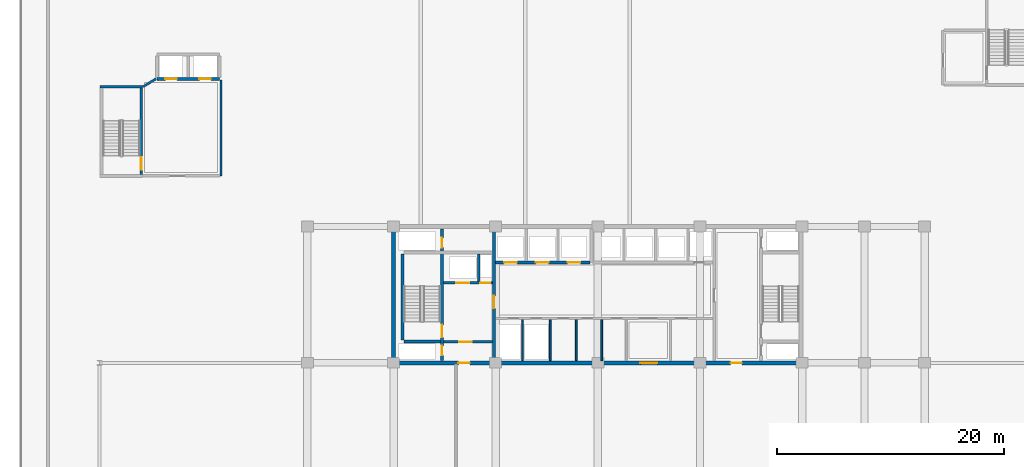
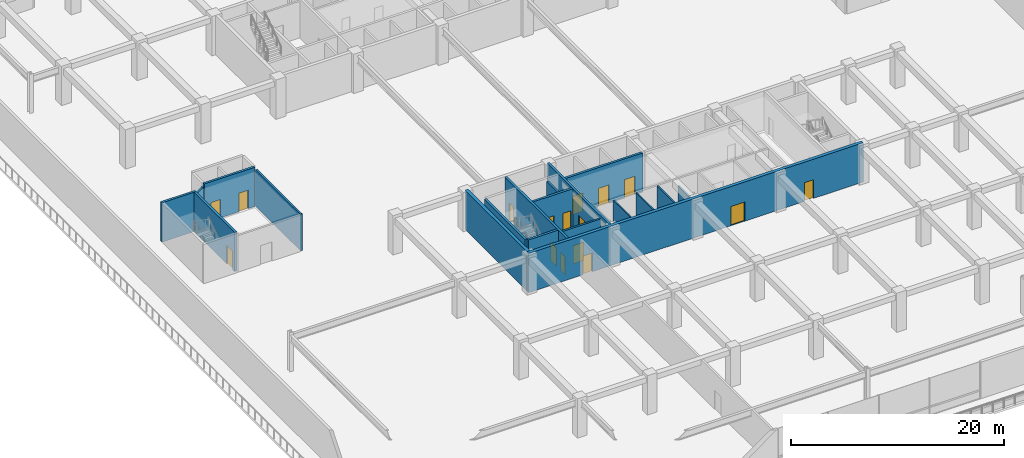
# One storey, part 21 of 40: 19 walls, 16 doors, 16 openings.
"""IFC4 building model written with IfcOpenShell, lengths in metres."""

from ifc_helpers import new_model, si_unit, direction, frame, frame_2d, origin, place, context, subcontext, project, spatial, rectangle, extrude, material, layer, layer_set, type_object, element, fill, save


model = new_model("IFC4")

# Units and contexts
model_context = context("Model", 3, precision=1e-05, world=origin(), true_north=direction((0.0, 1.0)))
body_context = subcontext(model_context, "Body", "Model", "MODEL_VIEW")
ifc_project = project(units=[si_unit("LENGTHUNIT", "METRE"), si_unit("AREAUNIT", "SQUARE_METRE"), si_unit("VOLUMEUNIT", "CUBIC_METRE"), si_unit("PLANEANGLEUNIT", "RADIAN"), si_unit("MASSUNIT", "GRAM", prefix="KILO")], contexts=[model_context])

# Site, building, storey
site_placement = place(None, origin())
site = spatial("IfcSite", under=ifc_project, at=site_placement, CompositionType="ELEMENT")
building_placement = place(site_placement, origin())
building = spatial("IfcBuilding", under=site, at=building_placement, Name="Korimba Cascade Residences", CompositionType="ELEMENT")
storey_placement = place(building_placement, frame((0.0, 0.0, 14.5)))
storey = spatial("IfcBuildingStorey", under=building, at=storey_placement, Name="L03", CompositionType="ELEMENT", Elevation=14.5)

# Wall
ifc_material_1 = material(Name="Concrete C65/80", Category="concrete")
ifc_layer_1 = layer(ifc_material_1, 0.35009765625)
ifc_layer_set_1 = layer_set([ifc_layer_1], Name="Concrete C65/80")
wall_type_1 = type_object("IfcWallType", Name="WAL-CORE-350", PredefinedType="SHEAR", material=ifc_layer_set_1)
wall_1_placement = place(storey_placement, frame((82.10009765625, 18.574951171875, 0.0), z_axis=(0.0, 0.0, 1.0), x_axis=(0.0, 1.0, 0.0)))
element("IfcWall", 1, at=wall_1_placement, inside=storey, type_object=wall_type_1, Name="L03 Core Shear Wall CW-L03-T2-W", PredefinedType="SHEAR", context=body_context, shape_type="SweptSolid", body=[
    extrude(rectangle(XDim=11.650146484375, YDim=0.35009765625, at=frame_2d((5.8251953125, 0.0))), origin(), (0.0, 0.0, 1.0), 4.5),
])

# Wall, openings, doors
wall_2_placement = place(storey_placement, frame((81.925048828125, 18.39990234375, 0.0), z_axis=(0.0, 0.0, 1.0), x_axis=(1.0, 0.0, 0.0)))
wall_2 = element("IfcWall", 2, at=wall_2_placement, inside=storey, type_object=wall_type_1, Name="L03 Core Shear Wall CW-L03-T2-S", PredefinedType="SHEAR", context=body_context, shape_type="SweptSolid", body=[
    extrude(rectangle(XDim=36.264892578125, YDim=0.35009765625, at=frame_2d((18.13232421875, 0.0))), origin(), (0.0, 0.0, 1.0), 4.5),
])
opening_1_placement = place(wall_2_placement, frame((5.89501953125, 0.0, 0.0)))
opening_1 = element("IfcOpeningElement", 3, at=opening_1_placement, cuts=wall_2, Name="Opening D-FD5", PredefinedType="OPENING", context=body_context, shape_type="SweptSolid", body=[
    extrude(rectangle(XDim=1.0, YDim=2.14990234375, at=frame_2d((0.5, 1.074951171875))), frame((0.0, 0.18505859375, 0.0), z_axis=(0.0, -1.0, 0.0), x_axis=(1.0, 0.0, 0.0)), (0.0, 0.0, 1.0), 0.3701171875),
])
opening_2_placement = place(wall_2_placement, frame((21.925048828125, 0.0, 0.0)))
opening_2 = element("IfcOpeningElement", 4, at=opening_2_placement, cuts=wall_2, Name="Opening D-FD8", PredefinedType="OPENING", context=body_context, shape_type="SweptSolid", body=[
    extrude(rectangle(XDim=1.5, YDim=2.199951171875, at=frame_2d((0.75, 1.10009765625))), frame((0.0, 0.18505859375, 0.0), z_axis=(0.0, -1.0, 0.0), x_axis=(1.0, 0.0, 0.0)), (0.0, 0.0, 1.0), 0.3701171875),
])
opening_3_placement = place(wall_2_placement, frame((29.875, 0.0, 0.0)))
opening_3 = element("IfcOpeningElement", 5, at=opening_3_placement, cuts=wall_2, Name="Opening D-FD5", PredefinedType="OPENING", context=body_context, shape_type="SweptSolid", body=[
    extrude(rectangle(XDim=1.0, YDim=2.14990234375, at=frame_2d((0.5, 1.074951171875))), frame((0.0, 0.18505859375, 0.0), z_axis=(0.0, -1.0, 0.0), x_axis=(1.0, 0.0, 0.0)), (0.0, 0.0, 1.0), 0.3701171875),
])
ifc_material_2 = material(Name="Fire-Rated Acoustic Timber Vestibule Door", Category="wood")
door_type_1 = type_object("IfcDoorType", Name="DR-FD90-1000", OperationType="NOTDEFINED", PredefinedType="DOOR", material=ifc_material_2)
door_1_placement = place(opening_1_placement, origin())
door_1 = element("IfcDoor", 6, at=door_1_placement, inside=storey, type_object=door_type_1, Name="L03 T2 West Core Vestibule Fire Door", OperationType="SINGLE_SWING_RIGHT", OverallHeight=2.14990234375, OverallWidth=1.0, PredefinedType="DOOR", context=body_context, shape_type="SweptSolid", body=[
    extrude(rectangle(XDim=1.0, YDim=2.14990234375, at=frame_2d((0.5, 1.074951171875))), frame((0.0, 0.02490234375, 0.0), z_axis=(0.0, -1.0, 0.0), x_axis=(1.0, 0.0, 0.0)), (0.0, 0.0, 1.0), 0.050048828125),
])
fill(opening_1, door_1)
door_2_placement = place(opening_3_placement, origin())
door_2 = element("IfcDoor", 7, at=door_2_placement, inside=storey, type_object=door_type_1, Name="L03 T2 East Stair Vestibule Fire Door", OperationType="SINGLE_SWING_LEFT", OverallHeight=2.14990234375, OverallWidth=1.0, PredefinedType="DOOR", context=body_context, shape_type="SweptSolid", body=[
    extrude(rectangle(XDim=1.0, YDim=2.14990234375, at=frame_2d((0.5, 1.074951171875))), frame((0.0, 0.02490234375, 0.0), z_axis=(0.0, -1.0, 0.0), x_axis=(1.0, 0.0, 0.0)), (0.0, 0.0, 1.0), 0.050048828125),
])
fill(opening_3, door_2)
ifc_material_3 = material(Name="Fire-Rated Glazed Lift Lobby Double Door", Category="glass")
door_type_2 = type_object("IfcDoorType", Name="DR-FD90-1500", OperationType="NOTDEFINED", PredefinedType="DOOR", material=ifc_material_3)
door_3_placement = place(opening_2_placement, origin())
door_3 = element("IfcDoor", 8, at=door_3_placement, inside=storey, type_object=door_type_2, Name="L03 T2 Lift Lobby Fire Door", OperationType="DOUBLE_DOOR_SINGLE_SWING", OverallHeight=2.199951171875, OverallWidth=1.5, PredefinedType="DOOR", context=body_context, shape_type="SweptSolid", body=[
    extrude(rectangle(XDim=1.5, YDim=2.199951171875, at=frame_2d((0.75, 1.10009765625))), frame((0.0, 0.02490234375, 0.0), z_axis=(0.0, -1.0, 0.0), x_axis=(1.0, 0.0, 0.0)), (0.0, 0.0, 1.0), 0.050048828125),
])
fill(opening_2, door_3)

# Walls
ifc_material_4 = material(Name="Insulated Acoustic Stud Partition", Category="gypsum")
ifc_layer_2 = layer(ifc_material_4, 0.14990234375)
ifc_layer_set_2 = layer_set([ifc_layer_2], Name="Insulated Acoustic Stud Partition")
wall_type_2 = type_object("IfcWallType", Name="WAL-PART-150", PredefinedType="PARTITIONING", material=ifc_layer_set_2)
for number, where, z_axis, x_axis, name in (
    (9, (93.449951171875, 18.60009765625, 0.0), (0.0, 0.0, 1.0), (0.0, 1.0, 0.0), "L03 Partition Wall CW-L03-T2-ERDIV"),
    (10, (95.89990234375, 18.60009765625, 0.0), (0.0, 0.0, 1.0), (0.0, 1.0, 0.0), "L03 Partition Wall CW-L03-T2-PRDIV"),
    (11, (98.199951171875, 18.60009765625, 0.0), (0.0, 0.0, 1.0), (0.0, 1.0, 0.0), "L03 Partition Wall CW-L03-T2-CA1W1"),
):
    element("IfcWall", number, at=place(storey_placement, frame(where, z_axis=z_axis, x_axis=x_axis)), inside=storey, type_object=wall_type_2, Name=name, PredefinedType="PARTITIONING", context=body_context, shape_type="SweptSolid", body=[
        extrude(rectangle(XDim=3.599853515625, YDim=0.14990234375, at=frame_2d((1.7998046875, 0.0))), origin(), (0.0, 0.0, 1.0), 4.179931640625),
    ])
wall_3_placement = place(storey_placement, frame((100.449951171875, 18.60009765625, 0.0), z_axis=(0.0, 0.0, 1.0), x_axis=(0.0, 1.0, 0.0)))
element("IfcWall", 12, at=wall_3_placement, inside=storey, type_object=wall_type_2, Name="L03 Partition Wall CW-L03-T2-CA1W2", PredefinedType="PARTITIONING", context=body_context, shape_type="SweptSolid", body=[
    extrude(rectangle(XDim=3.599853515625, YDim=0.14990234375, at=frame_2d((1.7998046875, 0.0))), origin(), (0.0, 0.0, 1.0), 3.429931640625),
])
ifc_material_5 = material(Name="Concrete C40/50", Category="concrete")
ifc_layer_3 = layer(ifc_material_5, 0.199951171875)
ifc_layer_set_3 = layer_set([ifc_layer_3], Name="Concrete C40/50")
wall_type_3 = type_object("IfcWallType", Name="WAL-PART-200", PredefinedType="PARTITIONING", material=ifc_layer_set_3)
wall_4_placement = place(storey_placement, frame((89.60009765625, 25.580078125, 0.0), z_axis=(0.0, 0.0, 1.0), x_axis=(0.0, 1.0, 0.0)))
element("IfcWall", 13, at=wall_4_placement, inside=storey, type_object=wall_type_3, Name="L03 Partition Wall CW-L03-T2-FFLDIV", PredefinedType="PARTITIONING", context=body_context, shape_type="SweptSolid", body=[
    extrude(rectangle(XDim=2.419921875, YDim=0.199951171875, at=frame_2d((1.2099609375, 0.0))), origin(), (0.0, 0.0, 1.0), 4.179931640625),
])

# Wall, opening, door
wall_5_placement = place(storey_placement, frame((86.5, 20.25, 0.0), z_axis=(0.0, 0.0, 1.0), x_axis=(1.0, 0.0, 0.0)))
wall_5 = element("IfcWall", 14, at=wall_5_placement, inside=storey, type_object=wall_type_3, Name="L03 Partition Wall CW-L03-T2-FFLS", PredefinedType="PARTITIONING", context=body_context, shape_type="SweptSolid", body=[
    extrude(rectangle(XDim=4.320068359375, YDim=0.199951171875, at=frame_2d((2.16015625, 0.0))), origin(), (0.0, 0.0, 1.0), 4.179931640625),
])
opening_4_placement = place(wall_5_placement, frame((1.39990234375, 0.0, 0.0)))
opening_4 = element("IfcOpeningElement", 15, at=opening_4_placement, cuts=wall_5, Name="Opening D-FD1", PredefinedType="OPENING", context=body_context, shape_type="SweptSolid", body=[
    extrude(rectangle(XDim=1.10009765625, YDim=2.10009765625, at=frame_2d((0.550048828125, 1.050048828125))), frame((0.0, 0.10986328125, 0.0), z_axis=(0.0, -1.0, 0.0), x_axis=(1.0, 0.0, 0.0)), (0.0, 0.0, 1.0), 0.219970703125),
])
ifc_material_6 = material(Name="Fire-Rated Steel Core Door", Category="steel")
door_type_3 = type_object("IfcDoorType", Name="DR-FD120-1100", OperationType="NOTDEFINED", PredefinedType="DOOR", material=ifc_material_6)
door_4_placement = place(opening_4_placement, origin())
door_4 = element("IfcDoor", 16, at=door_4_placement, inside=storey, type_object=door_type_3, Name="L03 T2 Firefighting Lobby Door", OperationType="SINGLE_SWING_RIGHT", OverallHeight=2.10009765625, OverallWidth=1.10009765625, PredefinedType="DOOR", context=body_context, shape_type="SweptSolid", body=[
    extrude(rectangle(XDim=1.10009765625, YDim=2.10009765625, at=frame_2d((0.550048828125, 1.050048828125))), frame((0.0, 0.02490234375, 0.0), z_axis=(0.0, -1.0, 0.0), x_axis=(1.0, 0.0, 0.0)), (0.0, 0.0, 1.0), 0.050048828125),
])
fill(opening_4, door_4)

# Walls
wall_6_placement = place(storey_placement, frame((66.89990234375, 34.875, 0.0), z_axis=(0.0, 0.0, 1.0), x_axis=(0.0, 1.0, 0.0)))
element("IfcWall", 17, at=wall_6_placement, inside=storey, type_object=wall_type_3, Name="L03 Partition Wall CW-L03-PLOBE", PredefinedType="PARTITIONING", context=body_context, shape_type="SweptSolid", body=[
    extrude(rectangle(XDim=8.425048828125, YDim=0.199951171875, at=frame_2d((4.21240234375, 0.0))), origin(), (0.0, 0.0, 1.0), 4.179931640625),
])
wall_7_placement = place(storey_placement, frame((60.02001953125, 42.72509765625, 0.0), z_axis=(0.0, 0.0, 1.0), x_axis=(0.851822584555, 0.523830396638, 0.0)))
element("IfcWall", 18, at=wall_7_placement, inside=storey, type_object=wall_type_3, Name="L03 Partition Wall CW-L03-PLOBN", PredefinedType="PARTITIONING", context=body_context, shape_type="SweptSolid", body=[
    extrude(rectangle(XDim=1.326416015625, YDim=0.199951171875, at=frame_2d((0.6630859375, 0.0))), origin(), (0.0, 0.0, 1.0), 4.179931640625),
])
ifc_material_7 = material(Name="Concrete C50/60", Category="concrete")
ifc_layer_4 = layer(ifc_material_7, 0.25)
ifc_layer_set_4 = layer_set([ifc_layer_4], Name="Concrete C50/60")
wall_type_4 = type_object("IfcWallType", Name="WAL-SHAFT-250", PredefinedType="SHEAR", material=ifc_layer_set_4)
wall_8_placement = place(storey_placement, frame((82.875, 20.39990234375, 0.0), z_axis=(0.0, 0.0, 1.0), x_axis=(0.0, 1.0, 0.0)))
element("IfcWall", 19, at=wall_8_placement, inside=storey, type_object=wall_type_4, Name="L03 Core Shear Wall CW-L03-T2-STE1W", PredefinedType="SHEAR", context=body_context, shape_type="SweptSolid", body=[
    extrude(rectangle(XDim=7.60009765625, YDim=0.25, at=frame_2d((3.800048828125, 0.0))), origin(), (0.0, 0.0, 1.0), 4.5),
])

# Wall, openings, doors
wall_9_placement = place(storey_placement, frame((86.364990234375, 18.60009765625, 0.0), z_axis=(0.0, 0.0, 1.0), x_axis=(0.0, 1.0, 0.0)))
wall_9 = element("IfcWall", 20, at=wall_9_placement, inside=storey, type_object=wall_type_4, Name="L03 Core Shear Wall CW-L03-T2-STE1E", PredefinedType="SHEAR", context=body_context, shape_type="SweptSolid", body=[
    extrude(rectangle(XDim=11.599853515625, YDim=0.25, at=frame_2d((5.7998046875, 0.0))), origin(), (0.0, 0.0, 1.0), 4.5),
])
opening_5_placement = place(wall_9_placement, frame((0.449951171875, 0.0, 0.0)))
opening_5 = element("IfcOpeningElement", 21, at=opening_5_placement, cuts=wall_9, Name="Opening D-RS1", PredefinedType="OPENING", context=body_context, shape_type="SweptSolid", body=[
    extrude(rectangle(XDim=0.85009765625, YDim=2.050048828125, at=frame_2d((0.425048828125, 1.02490234375))), frame((0.0, 0.135009765625, 0.0), z_axis=(0.0, -1.0, 0.0), x_axis=(1.0, 0.0, 0.0)), (0.0, 0.0, 1.0), 0.27001953125),
])
opening_6_placement = place(wall_9_placement, frame((2.050048828125, 0.0, 0.0)))
opening_6 = element("IfcOpeningElement", 22, at=opening_6_placement, cuts=wall_9, Name="Opening D-FD1", PredefinedType="OPENING", context=body_context, shape_type="SweptSolid", body=[
    extrude(rectangle(XDim=1.10009765625, YDim=2.10009765625, at=frame_2d((0.550048828125, 1.050048828125))), frame((0.0, 0.135009765625, 0.0), z_axis=(0.0, -1.0, 0.0), x_axis=(1.0, 0.0, 0.0)), (0.0, 0.0, 1.0), 0.27001953125),
])
opening_7_placement = place(wall_9_placement, frame((9.949951171875, 0.0, 0.0)))
opening_7 = element("IfcOpeningElement", 23, at=opening_7_placement, cuts=wall_9, Name="Opening D-RS1", PredefinedType="OPENING", context=body_context, shape_type="SweptSolid", body=[
    extrude(rectangle(XDim=0.85009765625, YDim=2.050048828125, at=frame_2d((0.425048828125, 1.02490234375))), frame((0.0, 0.135009765625, 0.0), z_axis=(0.0, -1.0, 0.0), x_axis=(1.0, 0.0, 0.0)), (0.0, 0.0, 1.0), 0.27001953125),
])
door_5_placement = place(opening_6_placement, origin())
door_5 = element("IfcDoor", 24, at=door_5_placement, inside=storey, type_object=door_type_3, Name="L03 Fire Stair ST-E1 Door", OperationType="SINGLE_SWING_LEFT", OverallHeight=2.10009765625, OverallWidth=1.10009765625, PredefinedType="DOOR", context=body_context, shape_type="SweptSolid", body=[
    extrude(rectangle(XDim=1.10009765625, YDim=2.10009765625, at=frame_2d((0.550048828125, 1.050048828125))), frame((0.0, 0.02490234375, 0.0), z_axis=(0.0, -1.0, 0.0), x_axis=(1.0, 0.0, 0.0)), (0.0, 0.0, 1.0), 0.050048828125),
])
fill(opening_6, door_5)
ifc_material_8 = material(Name="Fire-Rated Steel Riser Access Door", Category="steel")
door_type_4 = type_object("IfcDoorType", Name="DR-FD60-850", OperationType="NOTDEFINED", PredefinedType="DOOR", material=ifc_material_8)
door_6_placement = place(opening_5_placement, origin())
door_6 = element("IfcDoor", 25, at=door_6_placement, inside=storey, type_object=door_type_4, Name="L03 T2 Hydrant Riser Door", OperationType="SINGLE_SWING_RIGHT", OverallHeight=2.050048828125, OverallWidth=0.85009765625, PredefinedType="DOOR", context=body_context, shape_type="SweptSolid", body=[
    extrude(rectangle(XDim=0.85009765625, YDim=2.050048828125, at=frame_2d((0.425048828125, 1.02490234375))), frame((0.0, 0.02490234375, 0.0), z_axis=(0.0, -1.0, 0.0), x_axis=(1.0, 0.0, 0.0)), (0.0, 0.0, 1.0), 0.050048828125),
])
fill(opening_5, door_6)
door_7_placement = place(opening_7_placement, origin())
door_7 = element("IfcDoor", 26, at=door_7_placement, inside=storey, type_object=door_type_4, Name="L03 T2 Smoke Shaft Door", OperationType="SINGLE_SWING_RIGHT", OverallHeight=2.050048828125, OverallWidth=0.85009765625, PredefinedType="DOOR", context=body_context, shape_type="SweptSolid", body=[
    extrude(rectangle(XDim=0.85009765625, YDim=2.050048828125, at=frame_2d((0.425048828125, 1.02490234375))), frame((0.0, 0.02490234375, 0.0), z_axis=(0.0, -1.0, 0.0), x_axis=(1.0, 0.0, 0.0)), (0.0, 0.0, 1.0), 0.050048828125),
])
fill(opening_7, door_7)

# Wall
wall_10_placement = place(storey_placement, frame((83.0, 20.27490234375, 0.0), z_axis=(0.0, 0.0, 1.0), x_axis=(1.0, 0.0, 0.0)))
element("IfcWall", 27, at=wall_10_placement, inside=storey, type_object=wall_type_4, Name="L03 Core Shear Wall CW-L03-T2-STE1S", PredefinedType="SHEAR", context=body_context, shape_type="SweptSolid", body=[
    extrude(rectangle(XDim=3.239990234375, YDim=0.25, at=frame_2d((1.6201171875, 0.0))), origin(), (0.0, 0.0, 1.0), 4.5),
])

# Wall, openings, doors
wall_11_placement = place(storey_placement, frame((86.5, 25.449951171875, 0.0), z_axis=(0.0, 0.0, 1.0), x_axis=(1.0, 0.0, 0.0)))
wall_11 = element("IfcWall", 28, at=wall_11_placement, inside=storey, type_object=wall_type_4, Name="L03 Core Shear Wall CW-L03-T2-FFLN", PredefinedType="SHEAR", context=body_context, shape_type="SweptSolid", body=[
    extrude(rectangle(XDim=4.320068359375, YDim=0.25, at=frame_2d((2.16015625, 0.0))), origin(), (0.0, 0.0, 1.0), 4.5),
])
opening_8_placement = place(wall_11_placement, frame((1.139892578125, 0.0, 0.0)))
opening_8 = element("IfcOpeningElement", 29, at=opening_8_placement, cuts=wall_11, Name="Opening LD-01", PredefinedType="OPENING", context=body_context, shape_type="SweptSolid", body=[
    extrude(rectangle(XDim=1.1201171875, YDim=2.1201171875, at=frame_2d((0.56005859375, 1.06005859375))), frame((0.0, 0.135009765625, 0.0), z_axis=(0.0, -1.0, 0.0), x_axis=(1.0, 0.0, 0.0)), (0.0, 0.0, 1.0), 0.27001953125),
])
opening_9_placement = place(wall_11_placement, frame((3.25, 0.0, 0.0)))
opening_9 = element("IfcOpeningElement", 30, at=opening_9_placement, cuts=wall_11, Name="Opening D-RS1", PredefinedType="OPENING", context=body_context, shape_type="SweptSolid", body=[
    extrude(rectangle(XDim=0.85009765625, YDim=2.050048828125, at=frame_2d((0.425048828125, 1.02490234375))), frame((0.0, 0.135009765625, 0.0), z_axis=(0.0, -1.0, 0.0), x_axis=(1.0, 0.0, 0.0)), (0.0, 0.0, 1.0), 0.27001953125),
])
door_8_placement = place(opening_9_placement, origin())
door_8 = element("IfcDoor", 31, at=door_8_placement, inside=storey, type_object=door_type_4, Name="L03 T2 Pressurisation Riser Door", OperationType="SINGLE_SWING_LEFT", OverallHeight=2.050048828125, OverallWidth=0.85009765625, PredefinedType="DOOR", context=body_context, shape_type="SweptSolid", body=[
    extrude(rectangle(XDim=0.85009765625, YDim=2.050048828125, at=frame_2d((0.425048828125, 1.02490234375))), frame((0.0, 0.02490234375, 0.0), z_axis=(0.0, -1.0, 0.0), x_axis=(1.0, 0.0, 0.0)), (0.0, 0.0, 1.0), 0.050048828125),
])
fill(opening_9, door_8)
ifc_material_9 = material(Name="Stainless Steel Lift Landing Sliding Door", Category="steel")
door_type_5 = type_object("IfcDoorType", Name="DR-LIFT-1100", OperationType="NOTDEFINED", PredefinedType="DOOR", material=ifc_material_9)
door_9_placement = place(opening_8_placement, origin())
door_9 = element("IfcDoor", 32, at=door_9_placement, inside=storey, type_object=door_type_5, Name="L03 Firefighting Lift Landing Door FFL-E1", OperationType="SLIDING_TO_RIGHT", OverallHeight=2.1201171875, OverallWidth=1.1201171875, PredefinedType="DOOR", context=body_context, shape_type="SweptSolid", body=[
    extrude(rectangle(XDim=1.1201171875, YDim=2.1201171875, at=frame_2d((0.56005859375, 1.06005859375))), frame((0.0, 0.02490234375, 0.0), z_axis=(0.0, -1.0, 0.0), x_axis=(1.0, 0.0, 0.0)), (0.0, 0.0, 1.0), 0.050048828125),
])
fill(opening_8, door_9)

# Wall, opening, door
wall_12_placement = place(storey_placement, frame((90.949951171875, 18.60009765625, 0.0), z_axis=(0.0, 0.0, 1.0), x_axis=(0.0, 1.0, 0.0)))
wall_12 = element("IfcWall", 33, at=wall_12_placement, inside=storey, type_object=wall_type_4, Name="L03 Core Shear Wall CW-L03-T2-FFLE", PredefinedType="SHEAR", context=body_context, shape_type="SweptSolid", body=[
    extrude(rectangle(XDim=11.599853515625, YDim=0.25, at=frame_2d((5.7998046875, 0.0))), origin(), (0.0, 0.0, 1.0), 4.5),
])
opening_10_placement = place(wall_12_placement, frame((4.60009765625, 0.0, 0.0)))
opening_10 = element("IfcOpeningElement", 34, at=opening_10_placement, cuts=wall_12, Name="Opening D-FD1", PredefinedType="OPENING", context=body_context, shape_type="SweptSolid", body=[
    extrude(rectangle(XDim=1.10009765625, YDim=2.10009765625, at=frame_2d((0.550048828125, 1.050048828125))), frame((0.0, 0.135009765625, 0.0), z_axis=(0.0, -1.0, 0.0), x_axis=(1.0, 0.0, 0.0)), (0.0, 0.0, 1.0), 0.27001953125),
])
door_10_placement = place(opening_10_placement, origin())
door_10 = element("IfcDoor", 35, at=door_10_placement, inside=storey, type_object=door_type_3, Name="L03 T2 Firefighting Lobby to Lift Lobby Door", OperationType="SINGLE_SWING_LEFT", OverallHeight=2.10009765625, OverallWidth=1.10009765625, PredefinedType="DOOR", context=body_context, shape_type="SweptSolid", body=[
    extrude(rectangle(XDim=1.10009765625, YDim=2.10009765625, at=frame_2d((0.550048828125, 1.050048828125))), frame((0.0, 0.02490234375, 0.0), z_axis=(0.0, -1.0, 0.0), x_axis=(1.0, 0.0, 0.0)), (0.0, 0.0, 1.0), 0.050048828125),
])
fill(opening_10, door_10)

# Wall, openings, doors
wall_13_placement = place(storey_placement, frame((91.080078125, 27.25, 0.0), z_axis=(0.0, 0.0, 1.0), x_axis=(1.0, 0.0, 0.0)))
wall_13 = element("IfcWall", 36, at=wall_13_placement, inside=storey, type_object=wall_type_4, Name="L03 Core Shear Wall CW-L03-T2-B1S", PredefinedType="SHEAR", context=body_context, shape_type="SweptSolid", body=[
    extrude(rectangle(XDim=8.33984375, YDim=0.25, at=frame_2d((4.169921875, 0.0))), origin(), (0.0, 0.0, 1.0), 4.5),
])
opening_11_placement = place(wall_13_placement, frame((0.760009765625, 0.0, 0.0)))
opening_11 = element("IfcOpeningElement", 37, at=opening_11_placement, cuts=wall_13, Name="Opening LD-01", PredefinedType="OPENING", context=body_context, shape_type="SweptSolid", body=[
    extrude(rectangle(XDim=1.1201171875, YDim=2.1201171875, at=frame_2d((0.56005859375, 1.06005859375))), frame((0.0, 0.135009765625, 0.0), z_axis=(0.0, -1.0, 0.0), x_axis=(1.0, 0.0, 0.0)), (0.0, 0.0, 1.0), 0.27001953125),
])
opening_12_placement = place(wall_13_placement, frame((3.56005859375, 0.0, 0.0)))
opening_12 = element("IfcOpeningElement", 38, at=opening_12_placement, cuts=wall_13, Name="Opening LD-01", PredefinedType="OPENING", context=body_context, shape_type="SweptSolid", body=[
    extrude(rectangle(XDim=1.1201171875, YDim=2.1201171875, at=frame_2d((0.56005859375, 1.06005859375))), frame((0.0, 0.135009765625, 0.0), z_axis=(0.0, -1.0, 0.0), x_axis=(1.0, 0.0, 0.0)), (0.0, 0.0, 1.0), 0.27001953125),
])
opening_13_placement = place(wall_13_placement, frame((6.360107421875, 0.0, 0.0)))
opening_13 = element("IfcOpeningElement", 39, at=opening_13_placement, cuts=wall_13, Name="Opening LD-01", PredefinedType="OPENING", context=body_context, shape_type="SweptSolid", body=[
    extrude(rectangle(XDim=1.1201171875, YDim=2.1201171875, at=frame_2d((0.56005859375, 1.06005859375))), frame((0.0, 0.135009765625, 0.0), z_axis=(0.0, -1.0, 0.0), x_axis=(1.0, 0.0, 0.0)), (0.0, 0.0, 1.0), 0.27001953125),
])
door_11_placement = place(opening_11_placement, origin())
door_11 = element("IfcDoor", 40, at=door_11_placement, inside=storey, type_object=door_type_5, Name="L03 Lift Landing Door PL-E1", OperationType="SLIDING_TO_LEFT", OverallHeight=2.1201171875, OverallWidth=1.1201171875, PredefinedType="DOOR", context=body_context, shape_type="SweptSolid", body=[
    extrude(rectangle(XDim=1.1201171875, YDim=2.1201171875, at=frame_2d((0.56005859375, 1.06005859375))), frame((0.0, 0.02490234375, 0.0), z_axis=(0.0, -1.0, 0.0), x_axis=(1.0, 0.0, 0.0)), (0.0, 0.0, 1.0), 0.050048828125),
])
fill(opening_11, door_11)
door_12_placement = place(opening_12_placement, origin())
door_12 = element("IfcDoor", 41, at=door_12_placement, inside=storey, type_object=door_type_5, Name="L03 Lift Landing Door PL-E2", OperationType="SLIDING_TO_LEFT", OverallHeight=2.1201171875, OverallWidth=1.1201171875, PredefinedType="DOOR", context=body_context, shape_type="SweptSolid", body=[
    extrude(rectangle(XDim=1.1201171875, YDim=2.1201171875, at=frame_2d((0.56005859375, 1.06005859375))), frame((0.0, 0.02490234375, 0.0), z_axis=(0.0, -1.0, 0.0), x_axis=(1.0, 0.0, 0.0)), (0.0, 0.0, 1.0), 0.050048828125),
])
fill(opening_12, door_12)
door_13_placement = place(opening_13_placement, origin())
door_13 = element("IfcDoor", 42, at=door_13_placement, inside=storey, type_object=door_type_5, Name="L03 Lift Landing Door PL-E3", OperationType="SLIDING_TO_LEFT", OverallHeight=2.1201171875, OverallWidth=1.1201171875, PredefinedType="DOOR", context=body_context, shape_type="SweptSolid", body=[
    extrude(rectangle(XDim=1.1201171875, YDim=2.1201171875, at=frame_2d((0.56005859375, 1.06005859375))), frame((0.0, 0.02490234375, 0.0), z_axis=(0.0, -1.0, 0.0), x_axis=(1.0, 0.0, 0.0)), (0.0, 0.0, 1.0), 0.050048828125),
])
fill(opening_13, door_13)

# Wall
wall_14_placement = place(storey_placement, frame((56.25, 42.72509765625, 0.0), z_axis=(0.0, 0.0, 1.0), x_axis=(1.0, 0.0, 0.0)))
element("IfcWall", 43, at=wall_14_placement, inside=storey, type_object=wall_type_4, Name="L03 Core Shear Wall CW-L03-STP1N", PredefinedType="SHEAR", context=body_context, shape_type="SweptSolid", body=[
    extrude(rectangle(XDim=3.739990234375, YDim=0.25, at=frame_2d((1.8701171875, 0.0))), origin(), (0.0, 0.0, 1.0), 4.5),
])

# Wall, opening, door
wall_15_placement = place(storey_placement, frame((59.864990234375, 35.0, 0.0), z_axis=(0.0, 0.0, 1.0), x_axis=(0.0, 1.0, 0.0)))
wall_15 = element("IfcWall", 44, at=wall_15_placement, inside=storey, type_object=wall_type_4, Name="L03 Core Shear Wall CW-L03-STP1E", PredefinedType="SHEAR", context=body_context, shape_type="SweptSolid", body=[
    extrude(rectangle(XDim=7.60009765625, YDim=0.25, at=frame_2d((3.800048828125, 0.0))), origin(), (0.0, 0.0, 1.0), 4.5),
])
opening_14_placement = place(wall_15_placement, frame((0.39990234375, 0.0, 0.0)))
opening_14 = element("IfcOpeningElement", 45, at=opening_14_placement, cuts=wall_15, Name="Opening D-FD1", PredefinedType="OPENING", context=body_context, shape_type="SweptSolid", body=[
    extrude(rectangle(XDim=1.10009765625, YDim=2.10009765625, at=frame_2d((0.550048828125, 1.050048828125))), frame((0.0, 0.135009765625, 0.0), z_axis=(0.0, -1.0, 0.0), x_axis=(1.0, 0.0, 0.0)), (0.0, 0.0, 1.0), 0.27001953125),
])
door_14_placement = place(opening_14_placement, origin())
door_14 = element("IfcDoor", 46, at=door_14_placement, inside=storey, type_object=door_type_3, Name="L03 Podium Stair ST-P1 Door", OperationType="SINGLE_SWING_LEFT", OverallHeight=2.10009765625, OverallWidth=1.10009765625, PredefinedType="DOOR", context=body_context, shape_type="SweptSolid", body=[
    extrude(rectangle(XDim=1.10009765625, YDim=2.10009765625, at=frame_2d((0.550048828125, 1.050048828125))), frame((0.0, 0.02490234375, 0.0), z_axis=(0.0, -1.0, 0.0), x_axis=(1.0, 0.0, 0.0)), (0.0, 0.0, 1.0), 0.050048828125),
])
fill(opening_14, door_14)

# Wall, openings, doors
wall_16_placement = place(storey_placement, frame((61.25, 43.419921875, 0.0), z_axis=(0.0, 0.0, 1.0), x_axis=(1.0, 0.0, 0.0)))
wall_16 = element("IfcWall", 47, at=wall_16_placement, inside=storey, type_object=wall_type_4, Name="L03 Core Shear Wall CW-L03-SHPS", PredefinedType="SHEAR", context=body_context, shape_type="SweptSolid", body=[
    extrude(rectangle(XDim=5.5, YDim=0.25, at=frame_2d((2.75, 0.0))), origin(), (0.0, 0.0, 1.0), 4.5),
])
opening_15_placement = place(wall_16_placement, frame((0.739990234375, 0.0, 0.0)))
opening_15 = element("IfcOpeningElement", 48, at=opening_15_placement, cuts=wall_16, Name="Opening LD-02", PredefinedType="OPENING", context=body_context, shape_type="SweptSolid", body=[
    extrude(rectangle(XDim=1.02001953125, YDim=2.1201171875, at=frame_2d((0.510009765625, 1.06005859375))), frame((0.0, 0.135009765625, 0.0), z_axis=(0.0, -1.0, 0.0), x_axis=(1.0, 0.0, 0.0)), (0.0, 0.0, 1.0), 0.27001953125),
])
opening_16_placement = place(wall_16_placement, frame((3.739990234375, 0.0, 0.0)))
opening_16 = element("IfcOpeningElement", 49, at=opening_16_placement, cuts=wall_16, Name="Opening LD-02", PredefinedType="OPENING", context=body_context, shape_type="SweptSolid", body=[
    extrude(rectangle(XDim=1.02001953125, YDim=2.1201171875, at=frame_2d((0.510009765625, 1.06005859375))), frame((0.0, 0.135009765625, 0.0), z_axis=(0.0, -1.0, 0.0), x_axis=(1.0, 0.0, 0.0)), (0.0, 0.0, 1.0), 0.27001953125),
])
ifc_material_10 = material(Name="Stainless Steel Shuttle Lift Landing Door", Category="steel")
door_type_6 = type_object("IfcDoorType", Name="DR-LIFT-1000", OperationType="NOTDEFINED", PredefinedType="DOOR", material=ifc_material_10)
door_15_placement = place(opening_15_placement, origin())
door_15 = element("IfcDoor", 50, at=door_15_placement, inside=storey, type_object=door_type_6, Name="L03 Shuttle Lift Landing Door PL-P1", OperationType="SLIDING_TO_LEFT", OverallHeight=2.1201171875, OverallWidth=1.02001953125, PredefinedType="DOOR", context=body_context, shape_type="SweptSolid", body=[
    extrude(rectangle(XDim=1.02001953125, YDim=2.1201171875, at=frame_2d((0.510009765625, 1.06005859375))), frame((0.0, 0.02490234375, 0.0), z_axis=(0.0, -1.0, 0.0), x_axis=(1.0, 0.0, 0.0)), (0.0, 0.0, 1.0), 0.050048828125),
])
fill(opening_15, door_15)
door_16_placement = place(opening_16_placement, origin())
door_16 = element("IfcDoor", 51, at=door_16_placement, inside=storey, type_object=door_type_6, Name="L03 Shuttle Lift Landing Door PL-P2", OperationType="SLIDING_TO_RIGHT", OverallHeight=2.1201171875, OverallWidth=1.02001953125, PredefinedType="DOOR", context=body_context, shape_type="SweptSolid", body=[
    extrude(rectangle(XDim=1.02001953125, YDim=2.1201171875, at=frame_2d((0.510009765625, 1.06005859375))), frame((0.0, 0.02490234375, 0.0), z_axis=(0.0, -1.0, 0.0), x_axis=(1.0, 0.0, 0.0)), (0.0, 0.0, 1.0), 0.050048828125),
])
fill(opening_16, door_16)

save(model, "model.ifc")
